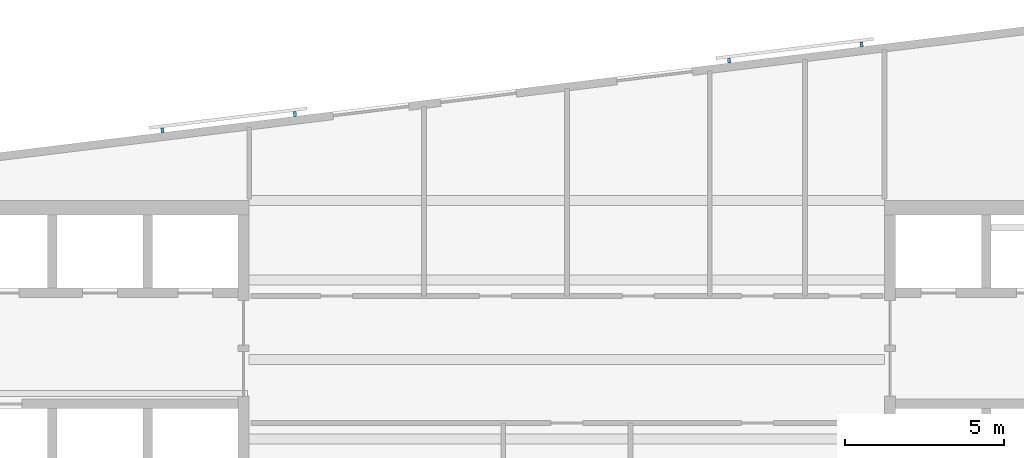
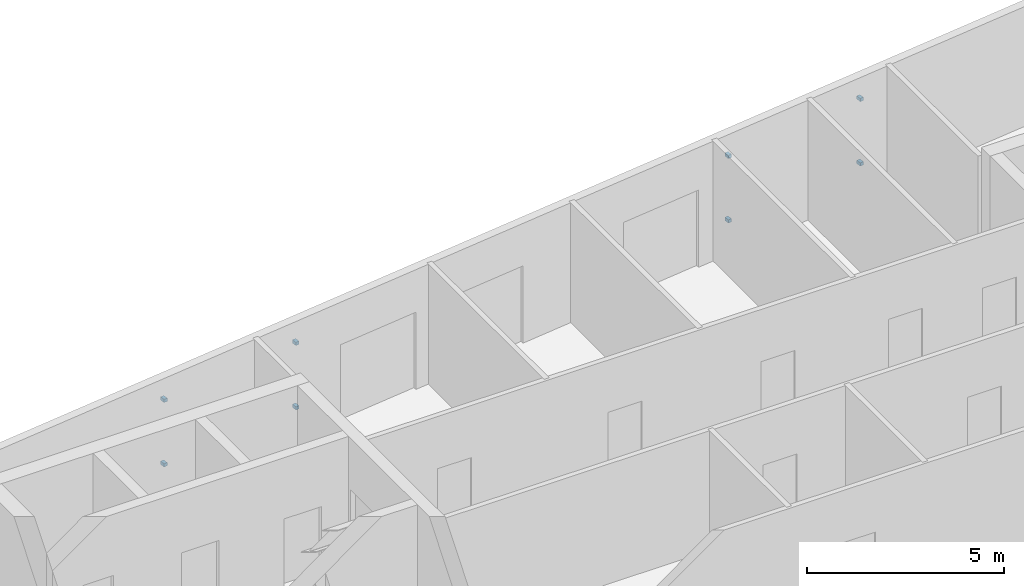
# One storey, part 8 of 11: 8 discrete accessories.
"""IFC4 building model written with IfcOpenShell, lengths in metres."""

from ifc_helpers import new_model, si_unit, direction, frame, origin, origin_2d, place, context, subcontext, project, spatial, rectangle, extrude, material, type_object, element, save


model = new_model("IFC4")

# Units and contexts
model_context = context("Model", 3, precision=1e-05, world=origin(), true_north=direction((0.0, 1.0)))
body_context = subcontext(model_context, "Body", "Model", "MODEL_VIEW")
ifc_project = project(units=[si_unit("LENGTHUNIT", "METRE"), si_unit("AREAUNIT", "SQUARE_METRE"), si_unit("VOLUMEUNIT", "CUBIC_METRE"), si_unit("PLANEANGLEUNIT", "RADIAN"), si_unit("MASSUNIT", "GRAM", prefix="KILO")], contexts=[model_context])

# Site, building, storey
site_placement = place(None, origin())
site = spatial("IfcSite", under=ifc_project, at=site_placement, CompositionType="ELEMENT")
building_placement = place(site_placement, origin())
building = spatial("IfcBuilding", under=site, at=building_placement, Name="Torana Hotel and Residences", CompositionType="ELEMENT")
storey_placement = place(building_placement, frame((0.0, 0.0, 322.60009765625)))
storey = spatial("IfcBuildingStorey", under=building, at=storey_placement, Name="L85", CompositionType="ELEMENT", Elevation=322.60009765625)

# Discrete accessories
ifc_material = material(Name="Steel S355", Category="steel")
discrete_accessory_type = type_object("IfcDiscreteAccessoryType", Name="SCREEN BRACKET 100", PredefinedType="BRACKET", material=ifc_material)
for number, where, z_axis, x_axis, name in (
    (1, (9.277587890625, 4.920654296875, 0.749755859375), (0.0, 0.0, 1.0), (-0.99254657704, -0.121865878765, 0.0), "Screen bracket L85"),
    (2, (9.277587890625, 4.920654296875, 2.749755859375), (0.0, 0.0, 1.0), (-0.99254657704, -0.121865878765, 0.0), "Screen bracket L85"),
    (3, (5.10888671875, 4.40869140625, 0.749755859375), (0.0, 0.0, 1.0), (-0.99254657704, -0.121865878765, 0.0), "Screen bracket L85"),
    (4, (5.10888671875, 4.40869140625, 2.749755859375), (0.0, 0.0, 1.0), (-0.99254657704, -0.121865878765, 0.0), "Screen bracket L85"),
    (5, (-8.563720703125, 2.72998046875, 0.749755859375), (0.0, 0.0, 1.0), (-0.99254657704, -0.121865878765, 0.0), "Screen bracket L85"),
    (6, (-8.563720703125, 2.72998046875, 2.749755859375), (0.0, 0.0, 1.0), (-0.99254657704, -0.121865878765, 0.0), "Screen bracket L85"),
    (7, (-12.732421875, 2.218017578125, 0.749755859375), (0.0, 0.0, 1.0), (-0.99254657704, -0.121865878765, 0.0), "Screen bracket L85"),
    (8, (-12.732421875, 2.218017578125, 2.749755859375), (0.0, 0.0, 1.0), (-0.99254657704, -0.121865878765, 0.0), "Screen bracket L85"),
):
    element("IfcDiscreteAccessory", number, at=place(storey_placement, frame(where, z_axis=z_axis, x_axis=x_axis)), inside=storey, type_object=discrete_accessory_type, Name=name, PredefinedType="BRACKET", context=body_context, shape_type="SweptSolid", body=[
        extrude(rectangle(XDim=0.10009765625, YDim=0.14990234375, at=origin_2d()), origin(), (0.0, 0.0, 1.0), 0.10009765625),
    ])

save(model, "model.ifc")
